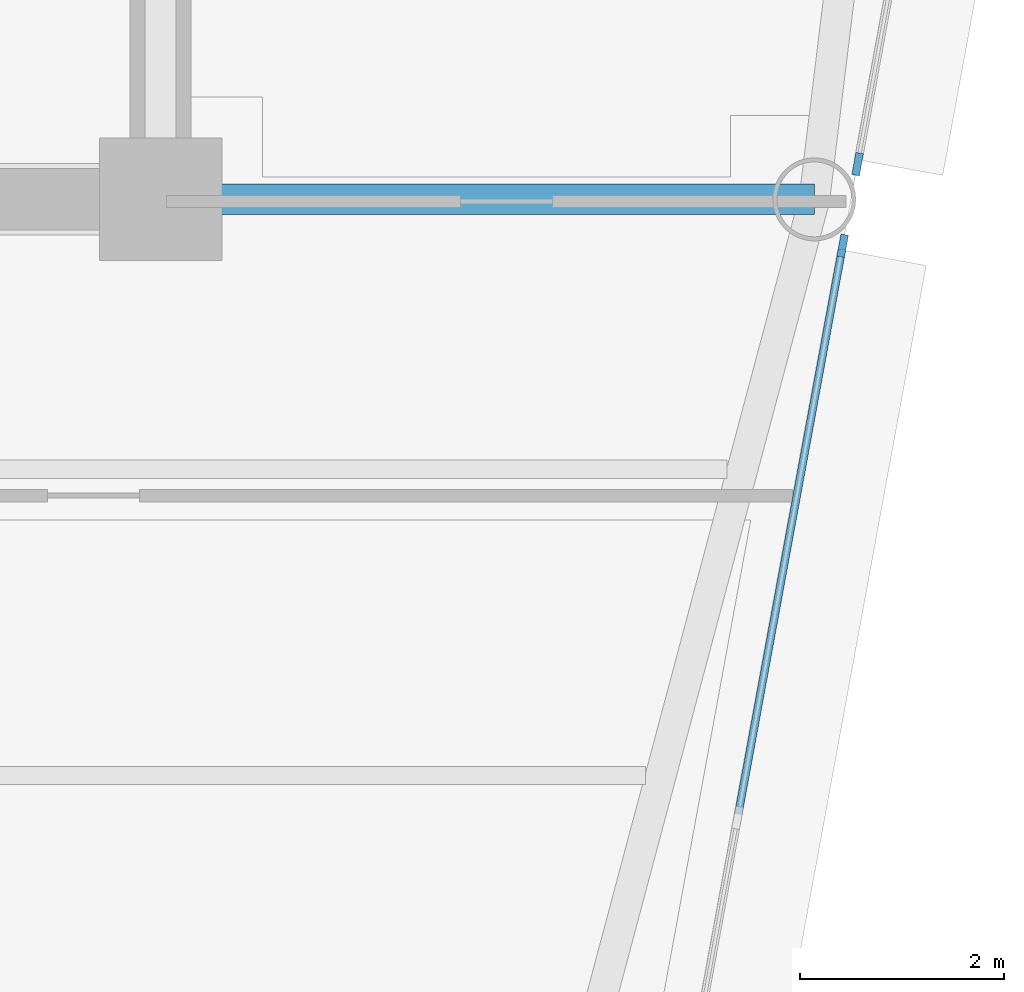
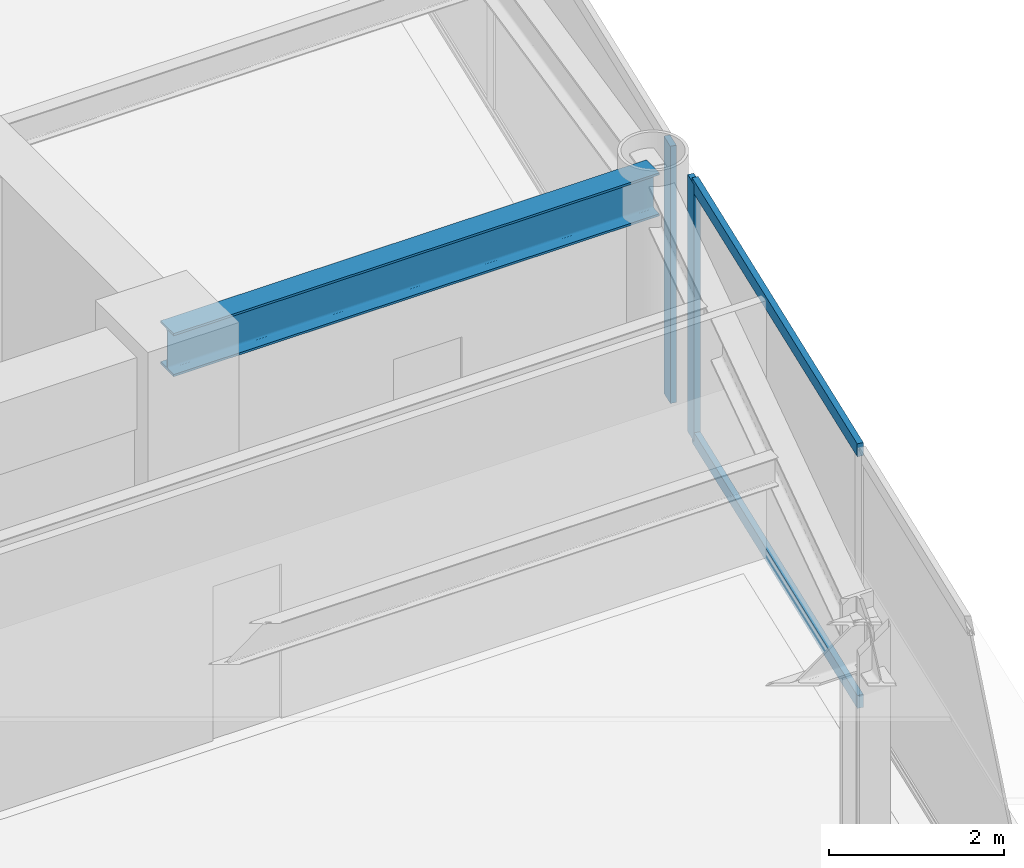
# One storey, part 5 of 15: 4 members, 1 beam, 2 elements without a shape of their own.
"""IFC4 building model written with IfcOpenShell, lengths in metres."""

from ifc_helpers import new_model, si_unit, direction, frame, origin, origin_2d, place, context, subcontext, project, spatial, rectangle, i_section, extrude, source, transform, mapped, material, layer, layer_set, material_profile, profile_set, type_object, element, aggregate, save


model = new_model("IFC4")

# Units and contexts
model_context = context("Model", 3, precision=1e-05, world=origin(), true_north=direction((0.0, 1.0)))
body_context = subcontext(model_context, "Body", "Model", "MODEL_VIEW")
ifc_project = project(units=[si_unit("LENGTHUNIT", "METRE"), si_unit("AREAUNIT", "SQUARE_METRE"), si_unit("VOLUMEUNIT", "CUBIC_METRE"), si_unit("PLANEANGLEUNIT", "RADIAN"), si_unit("MASSUNIT", "GRAM", prefix="KILO")], contexts=[model_context])

# Site, building, storey
site_placement = place(None, origin())
site = spatial("IfcSite", under=ifc_project, at=site_placement, CompositionType="ELEMENT")
building_placement = place(site_placement, origin())
building = spatial("IfcBuilding", under=site, at=building_placement, Name="Vaeldorn Concourse Tower", CompositionType="ELEMENT")
storey_placement = place(building_placement, frame((0.0, 0.0, 199.39990234375)))
storey = spatial("IfcBuildingStorey", under=building, at=storey_placement, Name="L51", CompositionType="ELEMENT", Elevation=199.39990234375)

# Beam
ifc_material_1 = material(Name="Steel S355", Category="steel")
ifc_material_profile_1 = material_profile(ifc_material_1, i_section(OverallWidth=0.300048828125, OverallDepth=0.60009765625, WebThickness=0.015380859375, FlangeThickness=0.030029296875, FilletRadius=0.027099609375, at=origin_2d()), Name="HEB 600")
ifc_profile_set_1 = profile_set([ifc_material_profile_1], Name="Steel S355")
beam_type = type_object("IfcBeamType", Name="BM-PG-HEB600", PredefinedType="BEAM", material=ifc_profile_set_1)
shared_shape_1 = source(origin(), body_context, "Body", "SweptSolid", [
    extrude(i_section(OverallWidth=0.300048828125, OverallDepth=0.60009765625, WebThickness=0.015380859375, FlangeThickness=0.030029296875, FilletRadius=0.027099609375, at=origin_2d()), origin(), (0.0, 0.0, 1.0), 6.39990234375),
])
beam_placement = place(storey_placement, frame((54.0, 36.5, 3.280029296875), z_axis=(1.0, 0.0, 0.0), x_axis=(0.0, 1.0, 0.0)))
element("IfcBeam", 1, at=beam_placement, inside=storey, type_object=beam_type, Name="Beam BM-L51-C-FC6-C-NE2", PredefinedType="BEAM", context=body_context, shape_type="MappedRepresentation", body=[
    mapped(shared_shape_1, transform((0.0, 0.0, 0.0), scale=1.0)),
])

# Curtain wall, member
ifc_material_2 = material(Name="Anodised Bronze Aluminium", Category="aluminium")
ifc_layer = layer(ifc_material_2, 0.2099609375)
ifc_layer_set = layer_set([ifc_layer], Name="Anodised Bronze Aluminium")
curtain_wall_type = type_object("IfcCurtainWallType", Name="CW-SYS-06", PredefinedType="NOTDEFINED", material=ifc_layer_set)
curtain_wall_1_placement = place(storey_placement, origin())
curtain_wall_1 = element("IfcCurtainWall", 2, at=curtain_wall_1_placement, inside=storey, type_object=curtain_wall_type, Name="Unitised Curtain Wall CW-L51-E07-1", PredefinedType="NOTDEFINED")
ifc_material_profile_2 = material_profile(ifc_material_2, rectangle(XDim=0.074951171875, YDim=0.219970703125, at=origin_2d()), Name="CWM 75x220")
ifc_profile_set_2 = profile_set([ifc_material_profile_2], Name="Anodised Bronze Aluminium")
member_type_1 = type_object("IfcMemberType", Name="CWM-BRONZE-220", PredefinedType="MULLION", material=ifc_profile_set_2)
shared_shape_2 = source(origin(), body_context, "Body", "SweptSolid", [
    extrude(rectangle(XDim=0.074951171875, YDim=0.219970703125, at=origin_2d()), origin(), (0.0, 0.0, 1.0), 3.580078125),
])
member_1_placement = place(storey_placement, frame((60.6767578125, 36.046630859375, 0.0), z_axis=(0.0, 0.0, 1.0), x_axis=(-0.983559325018, 0.180585309951, 0.0)))
member_1 = element("IfcMember", 3, at=member_1_placement, type_object=member_type_1, Name="CW-06 mullion 6", PredefinedType="MULLION", context=body_context, shape_type="MappedRepresentation", body=[
    mapped(shared_shape_2, transform((0.0, 0.0, 0.0), scale=1.0)),
])

curtain_wall_2_placement = place(storey_placement, origin())
curtain_wall_2 = element("IfcCurtainWall", 4, at=curtain_wall_2_placement, inside=storey, type_object=curtain_wall_type, Name="Unitised Curtain Wall CW-L51-E07-2", PredefinedType="NOTDEFINED")
member_2_placement = place(storey_placement, frame((60.8232421875, 36.844482421875, 0.0), z_axis=(0.0, 0.0, 1.0), x_axis=(-0.983559459619, 0.180584576845, 0.0)))
member_2 = element("IfcMember", 5, at=member_2_placement, type_object=member_type_1, Name="CW-06 mullion 1", PredefinedType="MULLION", context=body_context, shape_type="MappedRepresentation", body=[
    mapped(shared_shape_2, transform((0.0, 0.0, 0.0), scale=1.0)),
])
aggregate(curtain_wall_2, [member_2])

# Member
ifc_material_profile_3 = material_profile(ifc_material_2, rectangle(XDim=0.074951171875, YDim=0.179931640625, at=origin_2d()), Name="CWT 75x180")
ifc_profile_set_3 = profile_set([ifc_material_profile_3], Name="Anodised Bronze Aluminium")
member_type_2 = type_object("IfcMemberType", Name="CWT-BRONZE-180", PredefinedType="USERDEFINED", material=ifc_profile_set_3)
shared_shape_3 = source(origin(), body_context, "Body", "SweptSolid", [
    extrude(rectangle(XDim=0.074951171875, YDim=0.179931640625, at=origin_2d()), origin(), (0.0, 0.0, 1.0), 5.618408203125),
])
member_3_placement = place(storey_placement, frame((59.655517578125, 30.483642578125, 0.03759765625), z_axis=(0.18059061227, 0.983558351477, 0.0), x_axis=(-0.983558351477, 0.18059061227, 0.0)))
member_3 = element("IfcMember", 6, at=member_3_placement, type_object=member_type_2, Name="CW-06 transom 5.1", ObjectType="TRANSOM", PredefinedType="USERDEFINED", context=body_context, shape_type="MappedRepresentation", body=[
    mapped(shared_shape_3, transform((0.0, 0.0, 0.0), scale=1.0)),
])

member_4_placement = place(storey_placement, frame((59.655517578125, 30.483642578125, 3.54248046875), z_axis=(0.18059061227, 0.983558351477, 0.0), x_axis=(-0.983558351477, 0.18059061227, 0.0)))
member_4 = element("IfcMember", 7, at=member_4_placement, type_object=member_type_2, Name="CW-06 transom 5.2", ObjectType="TRANSOM", PredefinedType="USERDEFINED", context=body_context, shape_type="MappedRepresentation", body=[
    mapped(shared_shape_3, transform((0.0, 0.0, 0.0), scale=1.0)),
])

aggregate(curtain_wall_1, [member_1, member_3, member_4])

save(model, "model.ifc")
